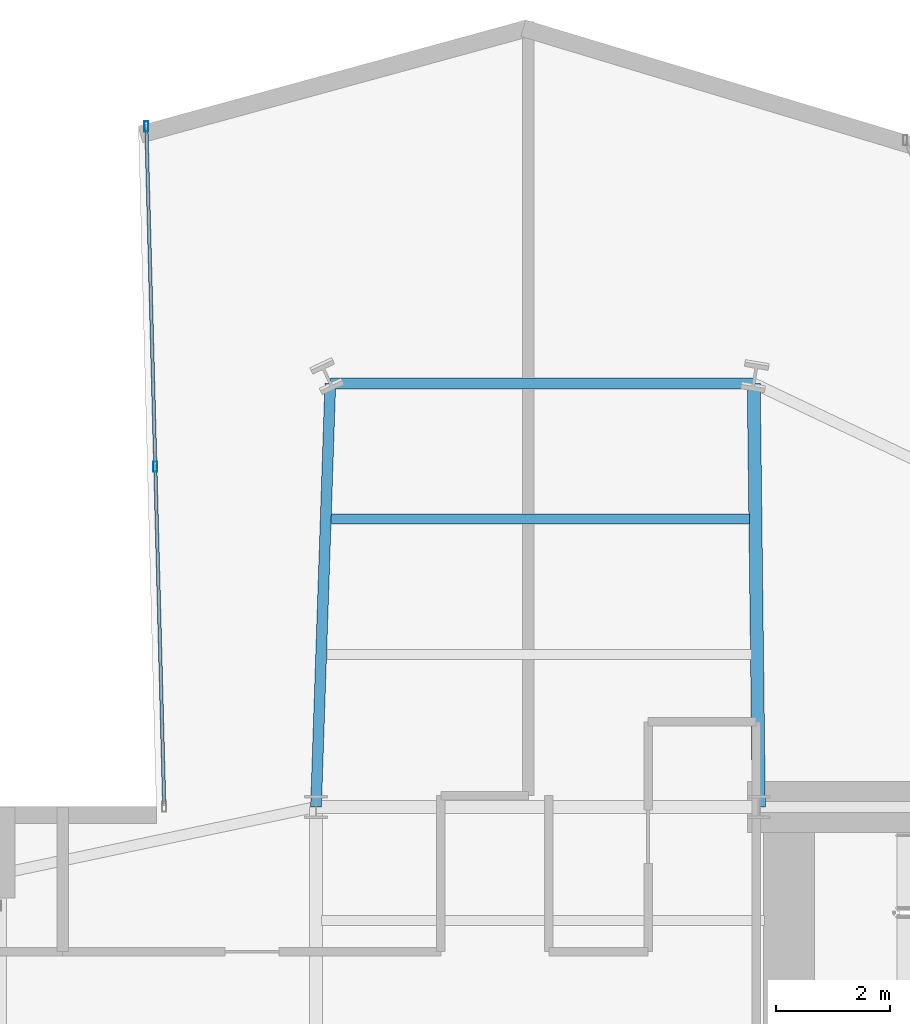
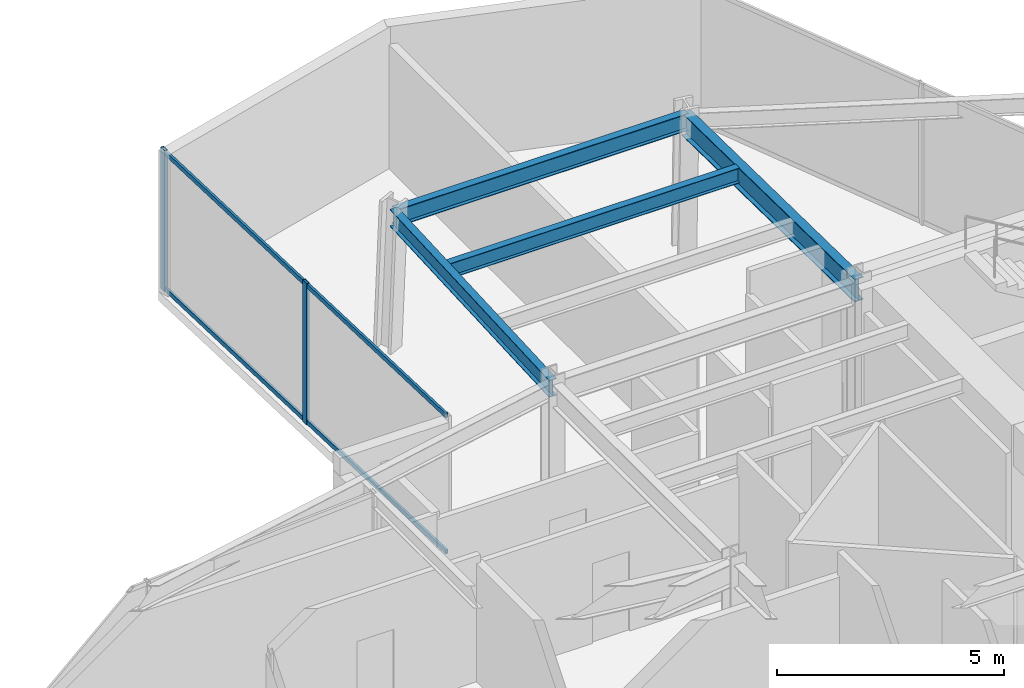
# One storey, part 20 of 31: 4 beams, 4 members, 1 element without a shape of its own.
"""IFC4 building model written with IfcOpenShell, lengths in metres."""

from ifc_helpers import new_model, si_unit, direction, frame, origin, origin_2d, place, context, subcontext, project, spatial, hollow_rectangle, i_section, extrude, material, layer, layer_set, material_profile, profile_set, type_object, element, aggregate, save


model = new_model("IFC4")

# Units and contexts
model_context = context("Model", 3, precision=1e-05, world=origin(), true_north=direction((0.0, 1.0)))
body_context = subcontext(model_context, "Body", "Model", "MODEL_VIEW")
ifc_project = project(units=[si_unit("LENGTHUNIT", "METRE"), si_unit("AREAUNIT", "SQUARE_METRE"), si_unit("VOLUMEUNIT", "CUBIC_METRE"), si_unit("PLANEANGLEUNIT", "RADIAN"), si_unit("MASSUNIT", "GRAM", prefix="KILO")], contexts=[model_context])

# Site, building, storey
site_placement = place(None, origin())
site = spatial("IfcSite", under=ifc_project, at=site_placement, CompositionType="ELEMENT")
building_placement = place(site_placement, origin())
building = spatial("IfcBuilding", under=site, at=building_placement, Name="Veymaron Broadcast Tower", CompositionType="ELEMENT")
storey_placement = place(building_placement, frame((0.0, 0.0, 70.199951171875)))
storey = spatial("IfcBuildingStorey", under=building, at=storey_placement, Name="L15", CompositionType="ELEMENT", Elevation=70.199951171875)

# Beams
ifc_material_1 = material(Name="Structural steel ASTM A992 Gr 50", Category="steel")
ifc_material_profile_1 = material_profile(ifc_material_1, i_section(OverallWidth=0.22998046875, OverallDepth=0.616943359375, WebThickness=0.01318359375, FlangeThickness=0.022216796875, at=origin_2d()), Name="W610X140")
ifc_profile_set_1 = profile_set([ifc_material_profile_1], Name="Structural steel ASTM A992 Gr 50")
beam_type_1 = type_object("IfcBeamType", Name="BM-FG1", PredefinedType="BEAM", material=ifc_profile_set_1)
beam_1_placement = place(storey_placement, frame((39.0, 32.0, 3.50146484375), z_axis=(-0.012075307518, 0.999927090816, 0.0), x_axis=(-0.999927090816, -0.012075307518, 0.0)))
element("IfcBeam", 1, at=beam_1_placement, inside=storey, type_object=beam_type_1, Name="L15 primary structural floor girder", PredefinedType="BEAM", context=body_context, shape_type="SweptSolid", body=[
    extrude(i_section(OverallWidth=0.22998046875, OverallDepth=0.616943359375, WebThickness=0.01318359375, FlangeThickness=0.022216796875, at=origin_2d()), origin(), (0.0, 0.0, 1.0), 7.46044921875),
])
ifc_material_profile_2 = material_profile(ifc_material_1, i_section(OverallWidth=0.177978515625, OverallDepth=0.406982421875, WebThickness=0.0078125, FlangeThickness=0.0126953125, at=origin_2d()), Name="W410X60")
ifc_profile_set_2 = profile_set([ifc_material_profile_2], Name="Structural steel ASTM A992 Gr 50")
beam_type_2 = type_object("IfcBeamType", Name="BM-JS1", PredefinedType="JOIST", material=ifc_profile_set_2)
beam_2_placement = place(storey_placement, frame((31.471435546875, 37.07275390625, 3.6064453125), z_axis=(1.0, 0.0, 0.0), x_axis=(0.0, 1.0, 0.0)))
element("IfcBeam", 2, at=beam_2_placement, inside=storey, type_object=beam_type_2, Name="L15 Arm-B secondary joist 2", PredefinedType="JOIST", context=body_context, shape_type="SweptSolid", body=[
    extrude(i_section(OverallWidth=0.177978515625, OverallDepth=0.406982421875, WebThickness=0.0078125, FlangeThickness=0.0126953125, at=origin_2d()), origin(), (0.0, 0.0, 1.0), 7.367431640625),
])
ifc_material_profile_3 = material_profile(ifc_material_1, i_section(OverallWidth=0.19091796875, OverallDepth=0.4599609375, WebThickness=0.010009765625, FlangeThickness=0.01611328125, at=origin_2d()), Name="W460X82")
ifc_profile_set_3 = profile_set([ifc_material_profile_3], Name="Structural steel ASTM A992 Gr 50")
beam_type_3 = type_object("IfcBeamType", Name="BM-SP1", PredefinedType="SPANDREL", material=ifc_profile_set_3)
beam_3_placement = place(storey_placement, frame((31.199951171875, 32.0, 3.580078125), z_axis=(0.033754807852, 0.999430144106, 0.0), x_axis=(-0.999430144106, 0.033754807852, 0.0)))
element("IfcBeam", 3, at=beam_3_placement, inside=storey, type_object=beam_type_3, Name="L15 primary structural floor girder", PredefinedType="SPANDREL", context=body_context, shape_type="SweptSolid", body=[
    extrude(i_section(OverallWidth=0.19091796875, OverallDepth=0.4599609375, WebThickness=0.010009765625, FlangeThickness=0.01611328125, at=origin_2d()), origin(), (0.0, 0.0, 1.0), 7.464111328125),
])
beam_4_placement = place(storey_placement, frame((31.451904296875, 39.4599609375, 3.580078125), z_axis=(1.0, 0.0, 0.0), x_axis=(0.0, 1.0, 0.0)))
element("IfcBeam", 4, at=beam_4_placement, inside=storey, type_object=beam_type_3, Name="L15 primary structural floor girder", PredefinedType="SPANDREL", context=body_context, shape_type="SweptSolid", body=[
    extrude(i_section(OverallWidth=0.19091796875, OverallDepth=0.4599609375, WebThickness=0.010009765625, FlangeThickness=0.01611328125, at=origin_2d()), origin(), (0.0, 0.0, 1.0), 7.4580078125),
])

# Curtain wall, members
ifc_material_2 = material(Name="Anodised aluminium AA 6063-T6 and laminated low-E dark glass", Category="aluminium")
ifc_layer = layer(ifc_material_2, 0.179931640625)
ifc_layer_set = layer_set([ifc_layer], Name="Anodised aluminium AA 6063-T6 and laminated low-E dark glass")
curtain_wall_type = type_object("IfcCurtainWallType", Name="CW-SYS-02", PredefinedType="NOTDEFINED", material=ifc_layer_set)
curtain_wall_placement = place(storey_placement, origin())
curtain_wall = element("IfcCurtainWall", 5, at=curtain_wall_placement, inside=storey, type_object=curtain_wall_type, Name="L15 dark-glass curtain wall CW-L15-E8-1", PredefinedType="NOTDEFINED")
ifc_material_3 = material(Name="Anodised aluminium AA 6063-T6", Category="aluminium")
ifc_material_profile_4 = material_profile(ifc_material_3, hollow_rectangle(XDim=0.074951171875, YDim=0.179931640625, WallThickness=0.0048828125, at=origin_2d()), Name="AL180X75X5")
ifc_profile_set_4 = profile_set([ifc_material_profile_4], Name="Anodised aluminium AA 6063-T6")
member_type_1 = type_object("IfcMemberType", Name="CW-MUL-02", PredefinedType="MULLION", material=ifc_profile_set_4)
member_1_placement = place(storey_placement, frame((28.2119140625, 43.984619140625, 0.0), z_axis=(0.0, 0.0, 1.0), x_axis=(1.0, 0.0, 0.0)))
member_1 = element("IfcMember", 6, at=member_1_placement, type_object=member_type_1, Name="CW-L15-E8-1 mullion 0", PredefinedType="MULLION", context=body_context, shape_type="SweptSolid", body=[
    extrude(hollow_rectangle(XDim=0.074951171875, YDim=0.179931640625, WallThickness=0.0048828125, at=origin_2d()), origin(), (0.0, 0.0, 1.0), 3.81005859375),
])
member_2_placement = place(storey_placement, frame((28.369384765625, 37.994140625, 0.0), z_axis=(0.0, 0.0, 1.0), x_axis=(1.0, 0.0, 0.0)))
member_2 = element("IfcMember", 7, at=member_2_placement, type_object=member_type_1, Name="CW-L15-E8-1 mullion 1", PredefinedType="MULLION", context=body_context, shape_type="SweptSolid", body=[
    extrude(hollow_rectangle(XDim=0.074951171875, YDim=0.179931640625, WallThickness=0.0048828125, at=origin_2d()), origin(), (0.0, 0.0, 1.0), 3.81005859375),
])
ifc_material_profile_5 = material_profile(ifc_material_3, hollow_rectangle(XDim=0.06005859375, YDim=0.1201171875, WallThickness=0.00390625, at=origin_2d()), Name="AL120X60X4")
ifc_profile_set_5 = profile_set([ifc_material_profile_5], Name="Anodised aluminium AA 6063-T6")
member_type_2 = type_object("IfcMemberType", Name="CW-TRN-02", PredefinedType="USERDEFINED", material=ifc_profile_set_5)
member_3_placement = place(storey_placement, frame((28.213134765625, 43.934814453125, 0.070068359375), z_axis=(0.026293177264, -0.999654274652, 0.0), x_axis=(0.999654274652, 0.026293177264, 0.0)))
member_3 = element("IfcMember", 8, at=member_3_placement, type_object=member_type_2, Name="CW-L15-E8-1 transom B", ObjectType="TRANSOM", PredefinedType="USERDEFINED", context=body_context, shape_type="SweptSolid", body=[
    extrude(hollow_rectangle(XDim=0.06005859375, YDim=0.1201171875, WallThickness=0.00390625, at=origin_2d()), origin(), (0.0, 0.0, 1.0), 11.88525390625),
])
member_4_placement = place(storey_placement, frame((28.213134765625, 43.934814453125, 3.739990234375), z_axis=(0.026293177264, -0.999654274652, 0.0), x_axis=(0.999654274652, 0.026293177264, 0.0)))
member_4 = element("IfcMember", 9, at=member_4_placement, type_object=member_type_2, Name="CW-L15-E8-1 transom T", ObjectType="TRANSOM", PredefinedType="USERDEFINED", context=body_context, shape_type="SweptSolid", body=[
    extrude(hollow_rectangle(XDim=0.06005859375, YDim=0.1201171875, WallThickness=0.00390625, at=origin_2d()), origin(), (0.0, 0.0, 1.0), 11.88525390625),
])
aggregate(curtain_wall, [member_1, member_2, member_3, member_4])

save(model, "model.ifc")
